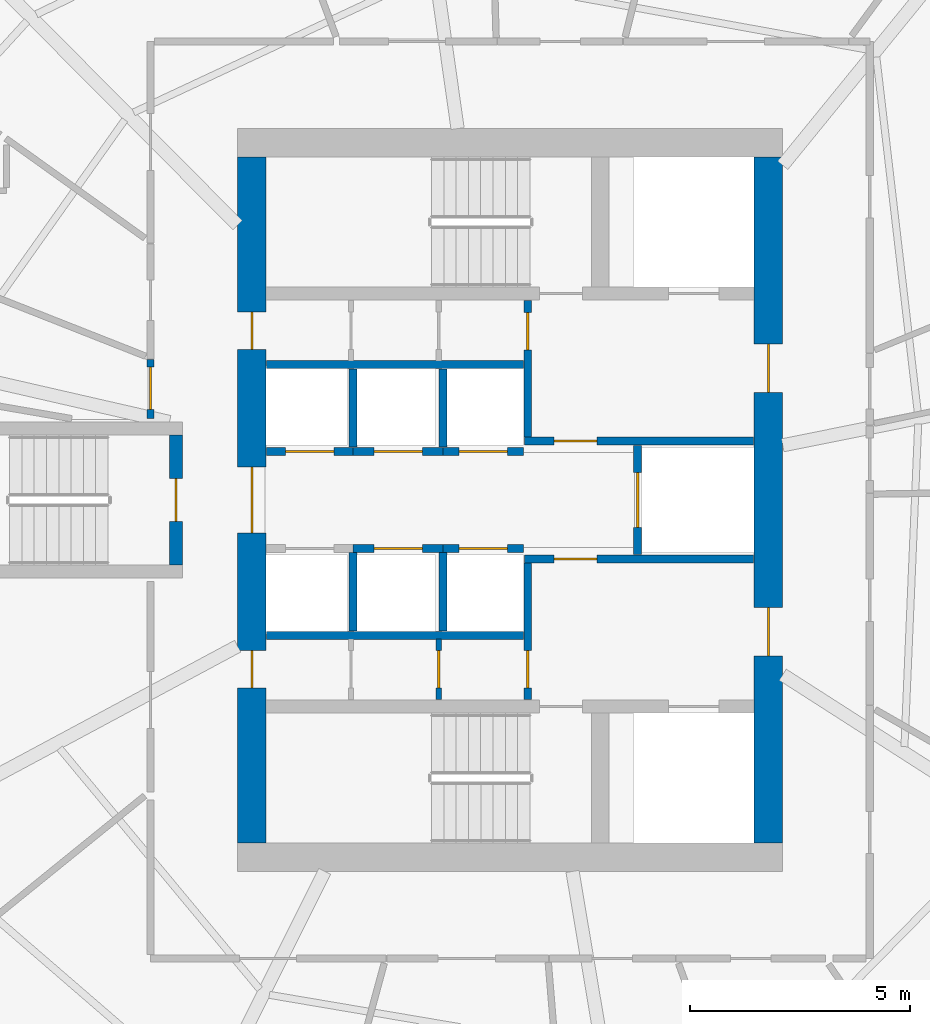
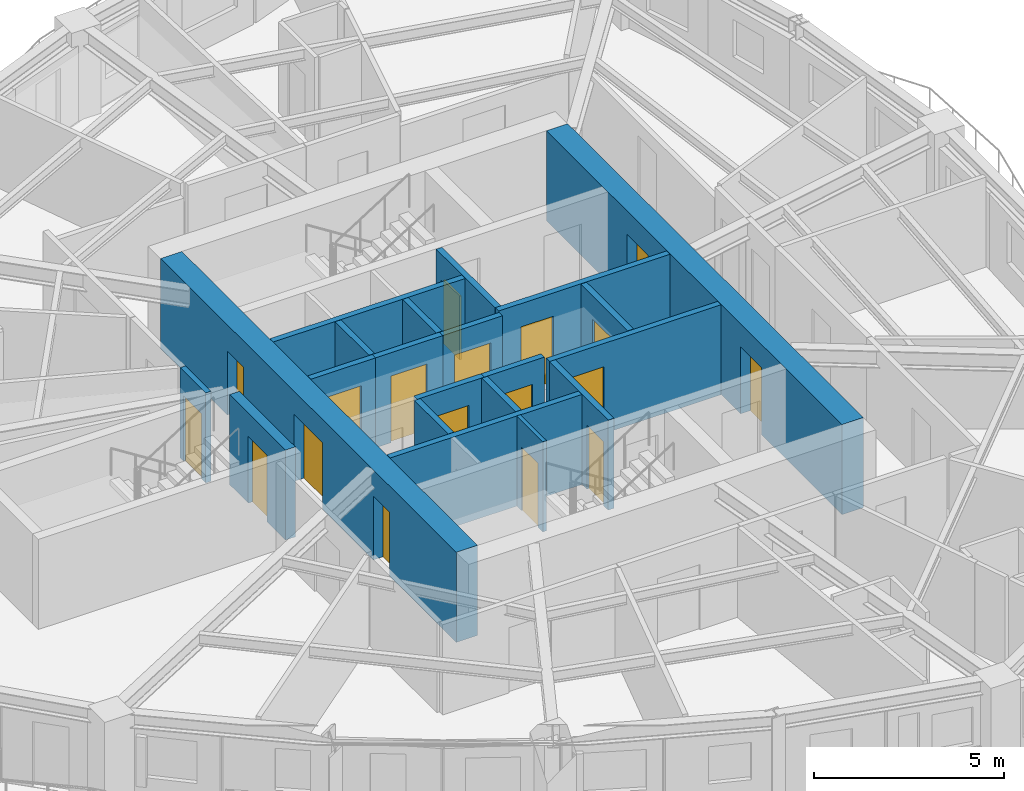
# One storey, part 5 of 12: 21 walls, 18 doors, 18 openings.
"""IFC4 building model written with IfcOpenShell, lengths in metres."""

from ifc_helpers import new_model, si_unit, direction, frame, frame_2d, origin, place, context, subcontext, project, spatial, rectangle, extrude, source, transform, mapped, material, layer, layer_set, type_object, element, fill, save


model = new_model("IFC4")

# Units and contexts
model_context = context("Model", 3, precision=1e-05, world=origin(), true_north=direction((0.0, 1.0)))
body_context = subcontext(model_context, "Body", "Model", "MODEL_VIEW")
ifc_project = project(units=[si_unit("LENGTHUNIT", "METRE"), si_unit("AREAUNIT", "SQUARE_METRE"), si_unit("VOLUMEUNIT", "CUBIC_METRE"), si_unit("PLANEANGLEUNIT", "RADIAN"), si_unit("MASSUNIT", "GRAM", prefix="KILO")], contexts=[model_context])

# Site, building, storey
site_placement = place(None, origin())
site = spatial("IfcSite", under=ifc_project, at=site_placement, CompositionType="ELEMENT")
building_placement = place(site_placement, origin())
building = spatial("IfcBuilding", under=site, at=building_placement, Name="Qafzar Sky-Pleat Residences", CompositionType="ELEMENT")
storey_placement = place(building_placement, frame((0.0, 0.0, 124.800048828125)))
storey = spatial("IfcBuildingStorey", under=building, at=storey_placement, Name="L37", CompositionType="ELEMENT", Elevation=124.800048828125)

# Wall, opening, door
ifc_material_1 = material(Name="Acoustic gypsum plasterboard partition", Category="gypsum")
ifc_layer_1 = layer(ifc_material_1, 0.159912109375)
ifc_layer_set_1 = layer_set([ifc_layer_1], Name="Acoustic gypsum plasterboard partition")
wall_type_1 = type_object("IfcWallType", Name="PART-COR-160", PredefinedType="PARTITIONING", material=ifc_layer_set_1)
wall_1_placement = place(storey_placement, frame((22.169921875, 27.85009765625, 0.0), z_axis=(0.0, 0.0, 1.0), x_axis=(0.0, 1.0, 0.0)))
wall_1 = element("IfcWall", 1, at=wall_1_placement, inside=storey, type_object=wall_type_1, Name="L37 Partition Wall PART-L37-PW-020", PredefinedType="PARTITIONING", context=body_context, shape_type="SweptSolid", body=[
    extrude(rectangle(XDim=1.343994140625, YDim=0.159912109375, at=frame_2d((0.671875, 0.0))), origin(), (0.0, 0.0, 1.0), 2.89990234375),
])
opening_1_placement = place(wall_1_placement, frame((0.211181640625, 0.0, 0.0)))
opening_1 = element("IfcOpeningElement", 2, at=opening_1_placement, cuts=wall_1, Name="Opening ID-06", PredefinedType="OPENING", context=body_context, shape_type="SweptSolid", body=[
    extrude(rectangle(XDim=0.9599609375, YDim=2.10009765625, at=frame_2d((0.47998046875, 1.050048828125))), frame((0.0, 0.08984375, 0.0), z_axis=(0.0, -1.0, 0.0), x_axis=(1.0, 0.0, 0.0)), (0.0, 0.0, 1.0), 0.179931640625),
])
ifc_material_2 = material(Name="Timber-faced fire door", Category="wood")
door_type_1 = type_object("IfcDoorType", Name="DR-STD-960", OperationType="NOTDEFINED", PredefinedType="DOOR", material=ifc_material_2)
shared_shape_1 = source(origin(), body_context, "Body", "SweptSolid", [
    extrude(rectangle(XDim=0.9599609375, YDim=2.10009765625, at=frame_2d((0.47998046875, 1.050048828125))), frame((0.0, 0.02490234375, 0.0), z_axis=(0.0, -1.0, 0.0), x_axis=(1.0, 0.0, 0.0)), (0.0, 0.0, 1.0), 0.050048828125),
])
door_1_placement = place(opening_1_placement, origin())
door_1 = element("IfcDoor", 3, at=door_1_placement, inside=storey, type_object=door_type_1, Name="L37 Common Dining Room Door", OperationType="SINGLE_SWING_LEFT", OverallHeight=2.10009765625, OverallWidth=0.9599609375, PredefinedType="DOOR", context=body_context, shape_type="MappedRepresentation", body=[
    mapped(shared_shape_1, transform((0.0, 0.0, 0.0), x_axis=(1.0, 0.0, 0.0), y_axis=(0.0, 1.0, 0.0), z_axis=(0.0, 0.0, 1.0), scale=1.0)),
])
fill(opening_1, door_1)

ifc_material_3 = material(Name="Concrete blockwork partition", Category="masonry")
ifc_layer_2 = layer(ifc_material_3, 0.179931640625)
ifc_layer_set_2 = layer_set([ifc_layer_2], Name="Concrete blockwork partition")
wall_type_2 = type_object("IfcWallType", Name="PART-SHAFT-180", PredefinedType="PARTITIONING", material=ifc_layer_set_2)
wall_2_placement = place(storey_placement, frame((30.75, 21.4599609375, 0.0), z_axis=(0.0, 0.0, 1.0), x_axis=(0.0, 1.0, 0.0)))
wall_2 = element("IfcWall", 4, at=wall_2_placement, inside=storey, type_object=wall_type_2, Name="L37 Partition Wall PART-L37-FFL1-W", PredefinedType="PARTITIONING", context=body_context, shape_type="SweptSolid", body=[
    extrude(rectangle(XDim=3.110107421875, YDim=0.179931640625, at=frame_2d((1.55517578125, 0.0))), origin(), (0.0, 0.0, 1.0), 2.89990234375),
])
opening_2_placement = place(wall_2_placement, frame((0.260009765625, 0.0, 0.0)))
opening_2 = element("IfcOpeningElement", 5, at=opening_2_placement, cuts=wall_2, Name="Opening ID-09", PredefinedType="OPENING", context=body_context, shape_type="SweptSolid", body=[
    extrude(rectangle(XDim=0.860107421875, YDim=2.050048828125, at=frame_2d((0.43017578125, 1.02490234375))), frame((0.0, 0.10009765625, 0.0), z_axis=(0.0, -1.0, 0.0), x_axis=(1.0, 0.0, 0.0)), (0.0, 0.0, 1.0), 0.199951171875),
])
door_type_2 = type_object("IfcDoorType", Name="DR-SVC-860", OperationType="NOTDEFINED", PredefinedType="DOOR", material=ifc_material_2)
shared_shape_2 = source(origin(), body_context, "Body", "SweptSolid", [
    extrude(rectangle(XDim=0.860107421875, YDim=2.050048828125, at=frame_2d((0.43017578125, 1.02490234375))), frame((0.0, 0.02490234375, 0.0), z_axis=(0.0, -1.0, 0.0), x_axis=(1.0, 0.0, 0.0)), (0.0, 0.0, 1.0), 0.050048828125),
])
door_2_placement = place(opening_2_placement, origin())
door_2 = element("IfcDoor", 6, at=door_2_placement, inside=storey, type_object=door_type_2, Name="L37 South Core Cupboard Door", OperationType="SINGLE_SWING_RIGHT", OverallHeight=2.050048828125, OverallWidth=0.860107421875, PredefinedType="DOOR", context=body_context, shape_type="MappedRepresentation", body=[
    mapped(shared_shape_2, transform((0.0, 0.0, 0.0), x_axis=(1.0, 0.0, 0.0), y_axis=(0.0, 1.0, 0.0), z_axis=(0.0, 0.0, 1.0), scale=1.0)),
])
fill(opening_2, door_2)

wall_3_placement = place(storey_placement, frame((30.669921875, 24.659912109375, 0.0), z_axis=(0.0, 0.0, 1.0), x_axis=(1.0, 0.0, 0.0)))
wall_3 = element("IfcWall", 7, at=wall_3_placement, inside=storey, type_object=wall_type_2, Name="L37 Partition Wall PART-L37-FFL1-N", PredefinedType="PARTITIONING", context=body_context, shape_type="SweptSolid", body=[
    extrude(rectangle(XDim=5.219970703125, YDim=0.179931640625, at=frame_2d((2.60986328125, 0.0))), origin(), (0.0, 0.0, 1.0), 2.89990234375),
])
opening_3_placement = place(wall_3_placement, frame((0.679931640625, 0.0, 0.0)))
opening_3 = element("IfcOpeningElement", 8, at=opening_3_placement, cuts=wall_3, Name="Opening ID-01", PredefinedType="OPENING", context=body_context, shape_type="SweptSolid", body=[
    extrude(rectangle(XDim=0.97998046875, YDim=2.14990234375, at=frame_2d((0.489990234375, 1.074951171875))), frame((0.0, 0.10009765625, 0.0), z_axis=(0.0, -1.0, 0.0), x_axis=(1.0, 0.0, 0.0)), (0.0, 0.0, 1.0), 0.199951171875),
])
door_type_3 = type_object("IfcDoorType", Name="DR-STAIR-980", OperationType="NOTDEFINED", PredefinedType="DOOR", material=ifc_material_2)
shared_shape_3 = source(origin(), body_context, "Body", "SweptSolid", [
    extrude(rectangle(XDim=0.97998046875, YDim=2.14990234375, at=frame_2d((0.489990234375, 1.074951171875))), frame((0.0, 0.02490234375, 0.0), z_axis=(0.0, -1.0, 0.0), x_axis=(1.0, 0.0, 0.0)), (0.0, 0.0, 1.0), 0.050048828125),
])
door_3_placement = place(opening_3_placement, origin())
door_3 = element("IfcDoor", 9, at=door_3_placement, inside=storey, type_object=door_type_3, Name="L37 Lift Lobby to South Firefighting Lobby Door", OperationType="SINGLE_SWING_LEFT", OverallHeight=2.14990234375, OverallWidth=0.97998046875, PredefinedType="DOOR", context=body_context, shape_type="MappedRepresentation", body=[
    mapped(shared_shape_3, transform((0.0, 0.0, 0.0), x_axis=(1.0, 0.0, 0.0), y_axis=(0.0, 1.0, 0.0), z_axis=(0.0, 0.0, 1.0), scale=1.0)),
])
fill(opening_3, door_3)

wall_4_placement = place(storey_placement, frame((30.75, 27.429931640625, 0.0), z_axis=(0.0, 0.0, 1.0), x_axis=(0.0, 1.0, 0.0)))
wall_4 = element("IfcWall", 10, at=wall_4_placement, inside=storey, type_object=wall_type_2, Name="L37 Partition Wall PART-L37-FFL2-W", PredefinedType="PARTITIONING", context=body_context, shape_type="SweptSolid", body=[
    extrude(rectangle(XDim=3.110107421875, YDim=0.179931640625, at=frame_2d((1.55517578125, 0.0))), origin(), (0.0, 0.0, 1.0), 2.89990234375),
])
opening_4_placement = place(wall_4_placement, frame((1.97998046875, 0.0, 0.0)))
opening_4 = element("IfcOpeningElement", 11, at=opening_4_placement, cuts=wall_4, Name="Opening ID-09", PredefinedType="OPENING", context=body_context, shape_type="SweptSolid", body=[
    extrude(rectangle(XDim=0.860107421875, YDim=2.050048828125, at=frame_2d((0.43017578125, 1.02490234375))), frame((0.0, 0.10009765625, 0.0), z_axis=(0.0, -1.0, 0.0), x_axis=(1.0, 0.0, 0.0)), (0.0, 0.0, 1.0), 0.199951171875),
])
door_4_placement = place(opening_4_placement, origin())
door_4 = element("IfcDoor", 12, at=door_4_placement, inside=storey, type_object=door_type_2, Name="L37 North Core Cupboard Door", OperationType="SINGLE_SWING_RIGHT", OverallHeight=2.050048828125, OverallWidth=0.860107421875, PredefinedType="DOOR", context=body_context, shape_type="MappedRepresentation", body=[
    mapped(shared_shape_2, transform((0.0, 0.0, 0.0), x_axis=(1.0, 0.0, 0.0), y_axis=(0.0, 1.0, 0.0), z_axis=(0.0, 0.0, 1.0), scale=1.0)),
])
fill(opening_4, door_4)

wall_5_placement = place(storey_placement, frame((30.669921875, 27.340087890625, 0.0), z_axis=(0.0, 0.0, 1.0), x_axis=(1.0, 0.0, 0.0)))
wall_5 = element("IfcWall", 13, at=wall_5_placement, inside=storey, type_object=wall_type_2, Name="L37 Partition Wall PART-L37-FFL2-S", PredefinedType="PARTITIONING", context=body_context, shape_type="SweptSolid", body=[
    extrude(rectangle(XDim=5.219970703125, YDim=0.179931640625, at=frame_2d((2.60986328125, 0.0))), origin(), (0.0, 0.0, 1.0), 2.89990234375),
])
opening_5_placement = place(wall_5_placement, frame((0.679931640625, 0.0, 0.0)))
opening_5 = element("IfcOpeningElement", 14, at=opening_5_placement, cuts=wall_5, Name="Opening ID-01", PredefinedType="OPENING", context=body_context, shape_type="SweptSolid", body=[
    extrude(rectangle(XDim=0.97998046875, YDim=2.14990234375, at=frame_2d((0.489990234375, 1.074951171875))), frame((0.0, 0.10009765625, 0.0), z_axis=(0.0, -1.0, 0.0), x_axis=(1.0, 0.0, 0.0)), (0.0, 0.0, 1.0), 0.199951171875),
])
door_5_placement = place(opening_5_placement, origin())
door_5 = element("IfcDoor", 15, at=door_5_placement, inside=storey, type_object=door_type_3, Name="L37 Lift Lobby to North Firefighting Lobby Door", OperationType="SINGLE_SWING_LEFT", OverallHeight=2.14990234375, OverallWidth=0.97998046875, PredefinedType="DOOR", context=body_context, shape_type="MappedRepresentation", body=[
    mapped(shared_shape_3, transform((0.0, 0.0, 0.0), x_axis=(1.0, 0.0, 0.0), y_axis=(0.0, 1.0, 0.0), z_axis=(0.0, 0.0, 1.0), scale=1.0)),
])
fill(opening_5, door_5)

wall_6_placement = place(storey_placement, frame((33.25, 24.760009765625, 0.0), z_axis=(0.0, 0.0, 1.0), x_axis=(0.0, 1.0, 0.0)))
wall_6 = element("IfcWall", 16, at=wall_6_placement, inside=storey, type_object=wall_type_2, Name="L37 Partition Wall PART-L37-SV1-W", PredefinedType="PARTITIONING", context=body_context, shape_type="SweptSolid", body=[
    extrude(rectangle(XDim=2.47998046875, YDim=0.179931640625, at=frame_2d((1.239990234375, 0.0))), origin(), (0.0, 0.0, 1.0), 2.89990234375),
])
opening_6_placement = place(wall_6_placement, frame((0.614990234375, 0.0, 0.0)))
opening_6 = element("IfcOpeningElement", 17, at=opening_6_placement, cuts=wall_6, Name="Opening LD-03", PredefinedType="OPENING", context=body_context, shape_type="SweptSolid", body=[
    extrude(rectangle(XDim=1.25, YDim=2.14990234375, at=frame_2d((0.625, 1.074951171875))), frame((0.0, 0.10009765625, 0.0), z_axis=(0.0, -1.0, 0.0), x_axis=(1.0, 0.0, 0.0)), (0.0, 0.0, 1.0), 0.199951171875),
])
ifc_material_4 = material(Name="Stainless steel sliding landing door", Category="steel")
door_type_4 = type_object("IfcDoorType", Name="DR-LIFT-SV", OperationType="DOUBLE_DOOR_SLIDING", PredefinedType="DOOR", material=ifc_material_4)
shared_shape_4 = source(origin(), body_context, "Body", "SweptSolid", [
    extrude(rectangle(XDim=1.25, YDim=2.14990234375, at=frame_2d((0.625, 1.074951171875))), frame((0.0, 0.02490234375, 0.0), z_axis=(0.0, -1.0, 0.0), x_axis=(1.0, 0.0, 0.0)), (0.0, 0.0, 1.0), 0.050048828125),
])
door_6_placement = place(opening_6_placement, origin())
door_6 = element("IfcDoor", 18, at=door_6_placement, inside=storey, type_object=door_type_4, Name="L37 Service Lift SV1 Landing Door", OperationType="DOUBLE_DOOR_SLIDING", OverallHeight=2.14990234375, OverallWidth=1.25, PredefinedType="DOOR", context=body_context, shape_type="MappedRepresentation", body=[
    mapped(shared_shape_4, transform((0.0, 0.0, 0.0), x_axis=(1.0, 0.0, 0.0), y_axis=(0.0, 1.0, 0.0), z_axis=(0.0, 0.0, 1.0), scale=1.0)),
])
fill(opening_6, door_6)

# Wall
wall_7_placement = place(storey_placement, frame((24.81005859375, 22.919921875, 0.0), z_axis=(0.0, 0.0, 1.0), x_axis=(1.0, 0.0, 0.0)))
element("IfcWall", 19, at=wall_7_placement, inside=storey, type_object=wall_type_2, Name="L37 Partition Wall PART-L37-P13-S", PredefinedType="PARTITIONING", context=body_context, shape_type="SweptSolid", body=[
    extrude(rectangle(XDim=5.83984375, YDim=0.179931640625, at=frame_2d((2.919921875, 0.0))), origin(), (0.0, 0.0, 1.0), 2.89990234375),
])

# Wall, opening, door
wall_8_placement = place(storey_placement, frame((26.77490234375, 24.89990234375, 0.0), z_axis=(0.0, 0.0, 1.0), x_axis=(1.0, 0.0, 0.0)))
wall_8 = element("IfcWall", 20, at=wall_8_placement, inside=storey, type_object=wall_type_2, Name="L37 Partition Wall PART-L37-P2-N", PredefinedType="PARTITIONING", context=body_context, shape_type="SweptSolid", body=[
    extrude(rectangle(XDim=2.050048828125, YDim=0.179931640625, at=frame_2d((1.02490234375, 0.0))), origin(), (0.0, 0.0, 1.0), 2.89990234375),
])
opening_7_placement = place(wall_8_placement, frame((0.47509765625, 0.0, 0.0)))
opening_7 = element("IfcOpeningElement", 21, at=opening_7_placement, cuts=wall_8, Name="Opening LD-01", PredefinedType="OPENING", context=body_context, shape_type="SweptSolid", body=[
    extrude(rectangle(XDim=1.10009765625, YDim=2.14990234375, at=frame_2d((0.550048828125, 1.074951171875))), frame((0.0, 0.10009765625, 0.0), z_axis=(0.0, -1.0, 0.0), x_axis=(1.0, 0.0, 0.0)), (0.0, 0.0, 1.0), 0.199951171875),
])
door_type_5 = type_object("IfcDoorType", Name="DR-LIFT-P", OperationType="DOUBLE_DOOR_SLIDING", PredefinedType="DOOR", material=ifc_material_4)
shared_shape_5 = source(origin(), body_context, "Body", "SweptSolid", [
    extrude(rectangle(XDim=1.10009765625, YDim=2.14990234375, at=frame_2d((0.550048828125, 1.074951171875))), frame((0.0, 0.02490234375, 0.0), z_axis=(0.0, -1.0, 0.0), x_axis=(1.0, 0.0, 0.0)), (0.0, 0.0, 1.0), 0.050048828125),
])
door_7_placement = place(opening_7_placement, origin())
door_7 = element("IfcDoor", 22, at=door_7_placement, inside=storey, type_object=door_type_5, Name="L37 Passenger Lift P2 Landing Door", OperationType="DOUBLE_DOOR_SLIDING", OverallHeight=2.14990234375, OverallWidth=1.10009765625, PredefinedType="DOOR", context=body_context, shape_type="MappedRepresentation", body=[
    mapped(shared_shape_5, transform((0.0, 0.0, 0.0), x_axis=(1.0, 0.0, 0.0), y_axis=(0.0, 1.0, 0.0), z_axis=(0.0, 0.0, 1.0), scale=1.0)),
])
fill(opening_7, door_7)

# Wall
wall_9_placement = place(storey_placement, frame((26.77490234375, 23.02001953125, 0.0), z_axis=(0.0, 0.0, 1.0), x_axis=(0.0, 1.0, 0.0)))
element("IfcWall", 23, at=wall_9_placement, inside=storey, type_object=wall_type_2, Name="L37 Partition Wall PART-L37-P13-DIV-1", PredefinedType="PARTITIONING", context=body_context, shape_type="SweptSolid", body=[
    extrude(rectangle(XDim=1.780029296875, YDim=0.179931640625, at=frame_2d((0.89013671875, 0.0))), origin(), (0.0, 0.0, 1.0), 2.89990234375),
])

# Wall, opening, door
wall_10_placement = place(storey_placement, frame((28.824951171875, 24.89990234375, 0.0), z_axis=(0.0, 0.0, 1.0), x_axis=(1.0, 0.0, 0.0)))
wall_10 = element("IfcWall", 24, at=wall_10_placement, inside=storey, type_object=wall_type_2, Name="L37 Partition Wall PART-L37-P3-N", PredefinedType="PARTITIONING", context=body_context, shape_type="SweptSolid", body=[
    extrude(rectangle(XDim=1.824951171875, YDim=0.179931640625, at=frame_2d((0.91259765625, 0.0))), origin(), (0.0, 0.0, 1.0), 2.89990234375),
])
opening_8_placement = place(wall_10_placement, frame((0.362548828125, 0.0, 0.0)))
opening_8 = element("IfcOpeningElement", 25, at=opening_8_placement, cuts=wall_10, Name="Opening LD-01", PredefinedType="OPENING", context=body_context, shape_type="SweptSolid", body=[
    extrude(rectangle(XDim=1.10009765625, YDim=2.14990234375, at=frame_2d((0.550048828125, 1.074951171875))), frame((0.0, 0.10009765625, 0.0), z_axis=(0.0, -1.0, 0.0), x_axis=(1.0, 0.0, 0.0)), (0.0, 0.0, 1.0), 0.199951171875),
])
door_8_placement = place(opening_8_placement, origin())
door_8 = element("IfcDoor", 26, at=door_8_placement, inside=storey, type_object=door_type_5, Name="L37 Passenger Lift P3 Landing Door", OperationType="DOUBLE_DOOR_SLIDING", OverallHeight=2.14990234375, OverallWidth=1.10009765625, PredefinedType="DOOR", context=body_context, shape_type="MappedRepresentation", body=[
    mapped(shared_shape_5, transform((0.0, 0.0, 0.0), x_axis=(1.0, 0.0, 0.0), y_axis=(0.0, 1.0, 0.0), z_axis=(0.0, 0.0, 1.0), scale=1.0)),
])
fill(opening_8, door_8)

# Walls
wall_11_placement = place(storey_placement, frame((28.824951171875, 23.02001953125, 0.0), z_axis=(0.0, 0.0, 1.0), x_axis=(0.0, 1.0, 0.0)))
element("IfcWall", 27, at=wall_11_placement, inside=storey, type_object=wall_type_2, Name="L37 Partition Wall PART-L37-P13-DIV-2", PredefinedType="PARTITIONING", context=body_context, shape_type="SweptSolid", body=[
    extrude(rectangle(XDim=1.780029296875, YDim=0.179931640625, at=frame_2d((0.89013671875, 0.0))), origin(), (0.0, 0.0, 1.0), 2.89990234375),
])
wall_12_placement = place(storey_placement, frame((24.81005859375, 29.080078125, 0.0), z_axis=(0.0, 0.0, 1.0), x_axis=(1.0, 0.0, 0.0)))
element("IfcWall", 28, at=wall_12_placement, inside=storey, type_object=wall_type_2, Name="L37 Partition Wall PART-L37-P46-N", PredefinedType="PARTITIONING", context=body_context, shape_type="SweptSolid", body=[
    extrude(rectangle(XDim=5.83984375, YDim=0.179931640625, at=frame_2d((2.919921875, 0.0))), origin(), (0.0, 0.0, 1.0), 2.89990234375),
])

# Wall, opening, door
wall_13_placement = place(storey_placement, frame((24.81005859375, 27.10009765625, 0.0), z_axis=(0.0, 0.0, 1.0), x_axis=(1.0, 0.0, 0.0)))
wall_13 = element("IfcWall", 29, at=wall_13_placement, inside=storey, type_object=wall_type_2, Name="L37 Partition Wall PART-L37-P4-S", PredefinedType="PARTITIONING", context=body_context, shape_type="SweptSolid", body=[
    extrude(rectangle(XDim=1.96484375, YDim=0.179931640625, at=frame_2d((0.982421875, 0.0))), origin(), (0.0, 0.0, 1.0), 2.89990234375),
])
opening_9_placement = place(wall_13_placement, frame((0.4326171875, 0.0, 0.0)))
opening_9 = element("IfcOpeningElement", 30, at=opening_9_placement, cuts=wall_13, Name="Opening LD-01", PredefinedType="OPENING", context=body_context, shape_type="SweptSolid", body=[
    extrude(rectangle(XDim=1.10009765625, YDim=2.14990234375, at=frame_2d((0.550048828125, 1.074951171875))), frame((0.0, 0.10009765625, 0.0), z_axis=(0.0, -1.0, 0.0), x_axis=(1.0, 0.0, 0.0)), (0.0, 0.0, 1.0), 0.199951171875),
])
door_9_placement = place(opening_9_placement, origin())
door_9 = element("IfcDoor", 31, at=door_9_placement, inside=storey, type_object=door_type_5, Name="L37 Passenger Lift P4 Landing Door", OperationType="DOUBLE_DOOR_SLIDING", OverallHeight=2.14990234375, OverallWidth=1.10009765625, PredefinedType="DOOR", context=body_context, shape_type="MappedRepresentation", body=[
    mapped(shared_shape_5, transform((0.0, 0.0, 0.0), x_axis=(1.0, 0.0, 0.0), y_axis=(0.0, 1.0, 0.0), z_axis=(0.0, 0.0, 1.0), scale=1.0)),
])
fill(opening_9, door_9)

wall_14_placement = place(storey_placement, frame((26.77490234375, 27.10009765625, 0.0), z_axis=(0.0, 0.0, 1.0), x_axis=(1.0, 0.0, 0.0)))
wall_14 = element("IfcWall", 32, at=wall_14_placement, inside=storey, type_object=wall_type_2, Name="L37 Partition Wall PART-L37-P5-S", PredefinedType="PARTITIONING", context=body_context, shape_type="SweptSolid", body=[
    extrude(rectangle(XDim=2.050048828125, YDim=0.179931640625, at=frame_2d((1.02490234375, 0.0))), origin(), (0.0, 0.0, 1.0), 2.89990234375),
])
opening_10_placement = place(wall_14_placement, frame((0.47509765625, 0.0, 0.0)))
opening_10 = element("IfcOpeningElement", 33, at=opening_10_placement, cuts=wall_14, Name="Opening LD-01", PredefinedType="OPENING", context=body_context, shape_type="SweptSolid", body=[
    extrude(rectangle(XDim=1.10009765625, YDim=2.14990234375, at=frame_2d((0.550048828125, 1.074951171875))), frame((0.0, 0.10009765625, 0.0), z_axis=(0.0, -1.0, 0.0), x_axis=(1.0, 0.0, 0.0)), (0.0, 0.0, 1.0), 0.199951171875),
])
door_10_placement = place(opening_10_placement, origin())
door_10 = element("IfcDoor", 34, at=door_10_placement, inside=storey, type_object=door_type_5, Name="L37 Passenger Lift P5 Landing Door", OperationType="DOUBLE_DOOR_SLIDING", OverallHeight=2.14990234375, OverallWidth=1.10009765625, PredefinedType="DOOR", context=body_context, shape_type="MappedRepresentation", body=[
    mapped(shared_shape_5, transform((0.0, 0.0, 0.0), x_axis=(1.0, 0.0, 0.0), y_axis=(0.0, 1.0, 0.0), z_axis=(0.0, 0.0, 1.0), scale=1.0)),
])
fill(opening_10, door_10)

# Wall
wall_15_placement = place(storey_placement, frame((26.77490234375, 27.199951171875, 0.0), z_axis=(0.0, 0.0, 1.0), x_axis=(0.0, 1.0, 0.0)))
element("IfcWall", 35, at=wall_15_placement, inside=storey, type_object=wall_type_2, Name="L37 Partition Wall PART-L37-P46-DIV-1", PredefinedType="PARTITIONING", context=body_context, shape_type="SweptSolid", body=[
    extrude(rectangle(XDim=1.780029296875, YDim=0.179931640625, at=frame_2d((0.89013671875, 0.0))), origin(), (0.0, 0.0, 1.0), 2.89990234375),
])

# Wall, opening, door
wall_16_placement = place(storey_placement, frame((28.824951171875, 27.10009765625, 0.0), z_axis=(0.0, 0.0, 1.0), x_axis=(1.0, 0.0, 0.0)))
wall_16 = element("IfcWall", 36, at=wall_16_placement, inside=storey, type_object=wall_type_2, Name="L37 Partition Wall PART-L37-P6-S", PredefinedType="PARTITIONING", context=body_context, shape_type="SweptSolid", body=[
    extrude(rectangle(XDim=1.824951171875, YDim=0.179931640625, at=frame_2d((0.91259765625, 0.0))), origin(), (0.0, 0.0, 1.0), 2.89990234375),
])
opening_11_placement = place(wall_16_placement, frame((0.362548828125, 0.0, 0.0)))
opening_11 = element("IfcOpeningElement", 37, at=opening_11_placement, cuts=wall_16, Name="Opening LD-01", PredefinedType="OPENING", context=body_context, shape_type="SweptSolid", body=[
    extrude(rectangle(XDim=1.10009765625, YDim=2.14990234375, at=frame_2d((0.550048828125, 1.074951171875))), frame((0.0, 0.10009765625, 0.0), z_axis=(0.0, -1.0, 0.0), x_axis=(1.0, 0.0, 0.0)), (0.0, 0.0, 1.0), 0.199951171875),
])
door_11_placement = place(opening_11_placement, origin())
door_11 = element("IfcDoor", 38, at=door_11_placement, inside=storey, type_object=door_type_5, Name="L37 Passenger Lift P6 Landing Door", OperationType="DOUBLE_DOOR_SLIDING", OverallHeight=2.14990234375, OverallWidth=1.10009765625, PredefinedType="DOOR", context=body_context, shape_type="MappedRepresentation", body=[
    mapped(shared_shape_5, transform((0.0, 0.0, 0.0), x_axis=(1.0, 0.0, 0.0), y_axis=(0.0, 1.0, 0.0), z_axis=(0.0, 0.0, 1.0), scale=1.0)),
])
fill(opening_11, door_11)

# Wall
wall_17_placement = place(storey_placement, frame((28.824951171875, 27.199951171875, 0.0), z_axis=(0.0, 0.0, 1.0), x_axis=(0.0, 1.0, 0.0)))
element("IfcWall", 39, at=wall_17_placement, inside=storey, type_object=wall_type_2, Name="L37 Partition Wall PART-L37-P46-DIV-2", PredefinedType="PARTITIONING", context=body_context, shape_type="SweptSolid", body=[
    extrude(rectangle(XDim=1.780029296875, YDim=0.179931640625, at=frame_2d((0.89013671875, 0.0))), origin(), (0.0, 0.0, 1.0), 2.89990234375),
])

# Wall, opening, door
ifc_material_5 = material(Name="Gypsum plasterboard partition", Category="gypsum")
ifc_layer_3 = layer(ifc_material_5, 0.114990234375)
ifc_layer_set_3 = layer_set([ifc_layer_3], Name="Gypsum plasterboard partition")
wall_type_3 = type_object("IfcWallType", Name="PART-SVC-115", PredefinedType="PARTITIONING", material=ifc_layer_set_3)
wall_18_placement = place(storey_placement, frame((28.72509765625, 21.4599609375, 0.0), z_axis=(0.0, 0.0, 1.0), x_axis=(0.0, 1.0, 0.0)))
wall_18 = element("IfcWall", 40, at=wall_18_placement, inside=storey, type_object=wall_type_3, Name="L37 Partition Wall PART-L37-KC-SW-2", PredefinedType="PARTITIONING", context=body_context, shape_type="SweptSolid", body=[
    extrude(rectangle(XDim=1.380126953125, YDim=0.114990234375, at=frame_2d((0.68994140625, 0.0))), origin(), (0.0, 0.0, 1.0), 2.89990234375),
])
opening_12_placement = place(wall_18_placement, frame((0.260009765625, 0.0, 0.0)))
opening_12 = element("IfcOpeningElement", 41, at=opening_12_placement, cuts=wall_18, Name="Opening ID-09", PredefinedType="OPENING", context=body_context, shape_type="SweptSolid", body=[
    extrude(rectangle(XDim=0.860107421875, YDim=2.050048828125, at=frame_2d((0.43017578125, 1.02490234375))), frame((0.0, 0.0673828125, 0.0), z_axis=(0.0, -1.0, 0.0), x_axis=(1.0, 0.0, 0.0)), (0.0, 0.0, 1.0), 0.135009765625),
])
door_12_placement = place(opening_12_placement, origin())
door_12 = element("IfcDoor", 42, at=door_12_placement, inside=storey, type_object=door_type_2, Name="L37 Core South Cupboard 2 Door", OperationType="SINGLE_SWING_RIGHT", OverallHeight=2.050048828125, OverallWidth=0.860107421875, PredefinedType="DOOR", context=body_context, shape_type="MappedRepresentation", body=[
    mapped(shared_shape_2, transform((0.0, 0.0, 0.0), x_axis=(1.0, 0.0, 0.0), y_axis=(0.0, 1.0, 0.0), z_axis=(0.0, 0.0, 1.0), scale=1.0)),
])
fill(opening_12, door_12)

ifc_material_6 = material(Name="Concrete C60/75", Category="concrete")
ifc_layer_4 = layer(ifc_material_6, 0.300048828125)
ifc_layer_set_4 = layer_set([ifc_layer_4], Name="Concrete C60/75")
wall_type_4 = type_object("IfcWallType", Name="WALL-SHEAR-300", PredefinedType="SHEAR", material=ifc_layer_set_4)
wall_19_placement = place(storey_placement, frame((22.75, 24.52490234375, 0.0), z_axis=(0.0, 0.0, 1.0), x_axis=(0.0, 1.0, 0.0)))
wall_19 = element("IfcWall", 43, at=wall_19_placement, inside=storey, type_object=wall_type_4, Name="L37 ST3 wall E", PredefinedType="SHEAR", context=body_context, shape_type="SweptSolid", body=[
    extrude(rectangle(XDim=2.9501953125, YDim=0.300048828125, at=frame_2d((1.47509765625, 0.0))), origin(), (0.0, 0.0, 1.0), 2.89990234375),
])
opening_13_placement = place(wall_19_placement, frame((0.985107421875, 0.0, 0.0)))
opening_13 = element("IfcOpeningElement", 44, at=opening_13_placement, cuts=wall_19, Name="Opening ID-01", PredefinedType="OPENING", context=body_context, shape_type="SweptSolid", body=[
    extrude(rectangle(XDim=0.97998046875, YDim=2.14990234375, at=frame_2d((0.489990234375, 1.074951171875))), frame((0.0, 0.16015625, 0.0), z_axis=(0.0, -1.0, 0.0), x_axis=(1.0, 0.0, 0.0)), (0.0, 0.0, 1.0), 0.320068359375),
])
door_13_placement = place(opening_13_placement, origin())
door_13 = element("IfcDoor", 45, at=door_13_placement, inside=storey, type_object=door_type_3, Name="L37 Stair ST3 Fire Door", OperationType="SINGLE_SWING_LEFT", OverallHeight=2.14990234375, OverallWidth=0.97998046875, PredefinedType="DOOR", context=body_context, shape_type="MappedRepresentation", body=[
    mapped(shared_shape_3, transform((0.0, 0.0, 0.0), x_axis=(1.0, 0.0, 0.0), y_axis=(0.0, 1.0, 0.0), z_axis=(0.0, 0.0, 1.0), scale=1.0)),
])
fill(opening_13, door_13)

# Wall, openings, doors
ifc_layer_5 = layer(ifc_material_6, 0.64990234375)
ifc_layer_set_5 = layer_set([ifc_layer_5], Name="Concrete C60/75")
wall_type_5 = type_object("IfcWallType", Name="WALL-SHEAR-650", PredefinedType="SHEAR", material=ifc_layer_set_5)
wall_20_placement = place(storey_placement, frame((24.47509765625, 33.800048828125, 0.0), z_axis=(0.0, 0.0, 1.0), x_axis=(0.0, -1.0, 0.0)))
wall_20 = element("IfcWall", 46, at=wall_20_placement, inside=storey, type_object=wall_type_5, Name="L37 CORE wall W", PredefinedType="SHEAR", context=body_context, shape_type="SweptSolid", body=[
    extrude(rectangle(XDim=15.60009765625, YDim=0.64990234375, at=frame_2d((7.800048828125, 0.0))), origin(), (0.0, 0.0, 1.0), 2.89990234375),
])
opening_14_placement = place(wall_20_placement, frame((7.050048828125, 0.0, 0.0)))
opening_14 = element("IfcOpeningElement", 47, at=opening_14_placement, cuts=wall_20, Name="Opening ID-03", PredefinedType="OPENING", context=body_context, shape_type="SweptSolid", body=[
    extrude(rectangle(XDim=1.5, YDim=2.14990234375, at=frame_2d((0.75, 1.074951171875))), frame((0.0, 0.3349609375, 0.0), z_axis=(0.0, -1.0, 0.0), x_axis=(1.0, 0.0, 0.0)), (0.0, 0.0, 1.0), 0.669921875),
])
opening_15_placement = place(wall_20_placement, frame((3.52001953125, 0.0, 0.0)))
opening_15 = element("IfcOpeningElement", 48, at=opening_15_placement, cuts=wall_20, Name="Opening ID-09", PredefinedType="OPENING", context=body_context, shape_type="SweptSolid", body=[
    extrude(rectangle(XDim=0.860107421875, YDim=2.050048828125, at=frame_2d((0.43017578125, 1.02490234375))), frame((0.0, 0.3349609375, 0.0), z_axis=(0.0, -1.0, 0.0), x_axis=(1.0, 0.0, 0.0)), (0.0, 0.0, 1.0), 0.669921875),
])
opening_16_placement = place(wall_20_placement, frame((11.219970703125, 0.0, 0.0)))
opening_16 = element("IfcOpeningElement", 49, at=opening_16_placement, cuts=wall_20, Name="Opening ID-09", PredefinedType="OPENING", context=body_context, shape_type="SweptSolid", body=[
    extrude(rectangle(XDim=0.860107421875, YDim=2.050048828125, at=frame_2d((0.43017578125, 1.02490234375))), frame((0.0, 0.3349609375, 0.0), z_axis=(0.0, -1.0, 0.0), x_axis=(1.0, 0.0, 0.0)), (0.0, 0.0, 1.0), 0.669921875),
])
door_type_6 = type_object("IfcDoorType", Name="DR-COR-1500", OperationType="DOUBLE_DOOR_SINGLE_SWING", PredefinedType="DOOR", material=ifc_material_2)
shared_shape_6 = source(origin(), body_context, "Body", "SweptSolid", [
    extrude(rectangle(XDim=1.5, YDim=2.14990234375, at=frame_2d((0.75, 1.074951171875))), frame((0.0, 0.02490234375, 0.0), z_axis=(0.0, -1.0, 0.0), x_axis=(1.0, 0.0, 0.0)), (0.0, 0.0, 1.0), 0.050048828125),
])
door_14_placement = place(opening_14_placement, origin())
door_14 = element("IfcDoor", 50, at=door_14_placement, inside=storey, type_object=door_type_6, Name="L37 Lift Lobby West Double Door", OperationType="DOUBLE_DOOR_SINGLE_SWING", OverallHeight=2.14990234375, OverallWidth=1.5, PredefinedType="DOOR", context=body_context, shape_type="MappedRepresentation", body=[
    mapped(shared_shape_6, transform((0.0, 0.0, 0.0), x_axis=(1.0, 0.0, 0.0), y_axis=(0.0, 1.0, 0.0), z_axis=(0.0, 0.0, 1.0), scale=1.0)),
])
fill(opening_14, door_14)
door_15_placement = place(opening_15_placement, origin())
door_15 = element("IfcDoor", 51, at=door_15_placement, inside=storey, type_object=door_type_2, Name="L37 Core North-West Service Door", OperationType="SINGLE_SWING_RIGHT", OverallHeight=2.050048828125, OverallWidth=0.860107421875, PredefinedType="DOOR", context=body_context, shape_type="MappedRepresentation", body=[
    mapped(shared_shape_2, transform((0.0, 0.0, 0.0), x_axis=(1.0, 0.0, 0.0), y_axis=(0.0, 1.0, 0.0), z_axis=(0.0, 0.0, 1.0), scale=1.0)),
])
fill(opening_15, door_15)
door_16_placement = place(opening_16_placement, origin())
door_16 = element("IfcDoor", 52, at=door_16_placement, inside=storey, type_object=door_type_2, Name="L37 Core South-West Service Door", OperationType="SINGLE_SWING_LEFT", OverallHeight=2.050048828125, OverallWidth=0.860107421875, PredefinedType="DOOR", context=body_context, shape_type="MappedRepresentation", body=[
    mapped(shared_shape_2, transform((0.0, 0.0, 0.0), x_axis=(1.0, 0.0, 0.0), y_axis=(0.0, 1.0, 0.0), z_axis=(0.0, 0.0, 1.0), scale=1.0)),
])
fill(opening_16, door_16)

wall_21_placement = place(storey_placement, frame((36.22509765625, 18.199951171875, 0.0), z_axis=(0.0, 0.0, 1.0), x_axis=(0.0, 1.0, 0.0)))
wall_21 = element("IfcWall", 53, at=wall_21_placement, inside=storey, type_object=wall_type_5, Name="L37 CORE wall E", PredefinedType="SHEAR", context=body_context, shape_type="SweptSolid", body=[
    extrude(rectangle(XDim=15.60009765625, YDim=0.64990234375, at=frame_2d((7.800048828125, 0.0))), origin(), (0.0, 0.0, 1.0), 2.89990234375),
])
opening_17_placement = place(wall_21_placement, frame((4.25, 0.0, 0.0)))
opening_17 = element("IfcOpeningElement", 54, at=opening_17_placement, cuts=wall_21, Name="Opening ID-02", PredefinedType="OPENING", context=body_context, shape_type="SweptSolid", body=[
    extrude(rectangle(XDim=1.10009765625, YDim=2.14990234375, at=frame_2d((0.550048828125, 1.074951171875))), frame((0.0, 0.3349609375, 0.0), z_axis=(0.0, -1.0, 0.0), x_axis=(1.0, 0.0, 0.0)), (0.0, 0.0, 1.0), 0.669921875),
])
opening_18_placement = place(wall_21_placement, frame((10.25, 0.0, 0.0)))
opening_18 = element("IfcOpeningElement", 55, at=opening_18_placement, cuts=wall_21, Name="Opening ID-02", PredefinedType="OPENING", context=body_context, shape_type="SweptSolid", body=[
    extrude(rectangle(XDim=1.10009765625, YDim=2.14990234375, at=frame_2d((0.550048828125, 1.074951171875))), frame((0.0, 0.3349609375, 0.0), z_axis=(0.0, -1.0, 0.0), x_axis=(1.0, 0.0, 0.0)), (0.0, 0.0, 1.0), 0.669921875),
])
door_type_7 = type_object("IfcDoorType", Name="DR-FFL-1100", OperationType="NOTDEFINED", PredefinedType="DOOR", material=ifc_material_2)
door_17_placement = place(opening_17_placement, origin())
door_17 = element("IfcDoor", 56, at=door_17_placement, inside=storey, type_object=door_type_7, Name="L37 Firefighting Lobby South Corridor Door", OperationType="SINGLE_SWING_RIGHT", OverallHeight=2.14990234375, OverallWidth=1.10009765625, PredefinedType="DOOR", context=body_context, shape_type="MappedRepresentation", body=[
    mapped(shared_shape_5, transform((0.0, 0.0, 0.0), x_axis=(1.0, 0.0, 0.0), y_axis=(0.0, 1.0, 0.0), z_axis=(0.0, 0.0, 1.0), scale=1.0)),
])
fill(opening_17, door_17)
door_18_placement = place(opening_18_placement, origin())
door_18 = element("IfcDoor", 57, at=door_18_placement, inside=storey, type_object=door_type_7, Name="L37 Firefighting Lobby North Corridor Door", OperationType="SINGLE_SWING_LEFT", OverallHeight=2.14990234375, OverallWidth=1.10009765625, PredefinedType="DOOR", context=body_context, shape_type="MappedRepresentation", body=[
    mapped(shared_shape_5, transform((0.0, 0.0, 0.0), x_axis=(1.0, 0.0, 0.0), y_axis=(0.0, 1.0, 0.0), z_axis=(0.0, 0.0, 1.0), scale=1.0)),
])
fill(opening_18, door_18)

save(model, "model.ifc")
